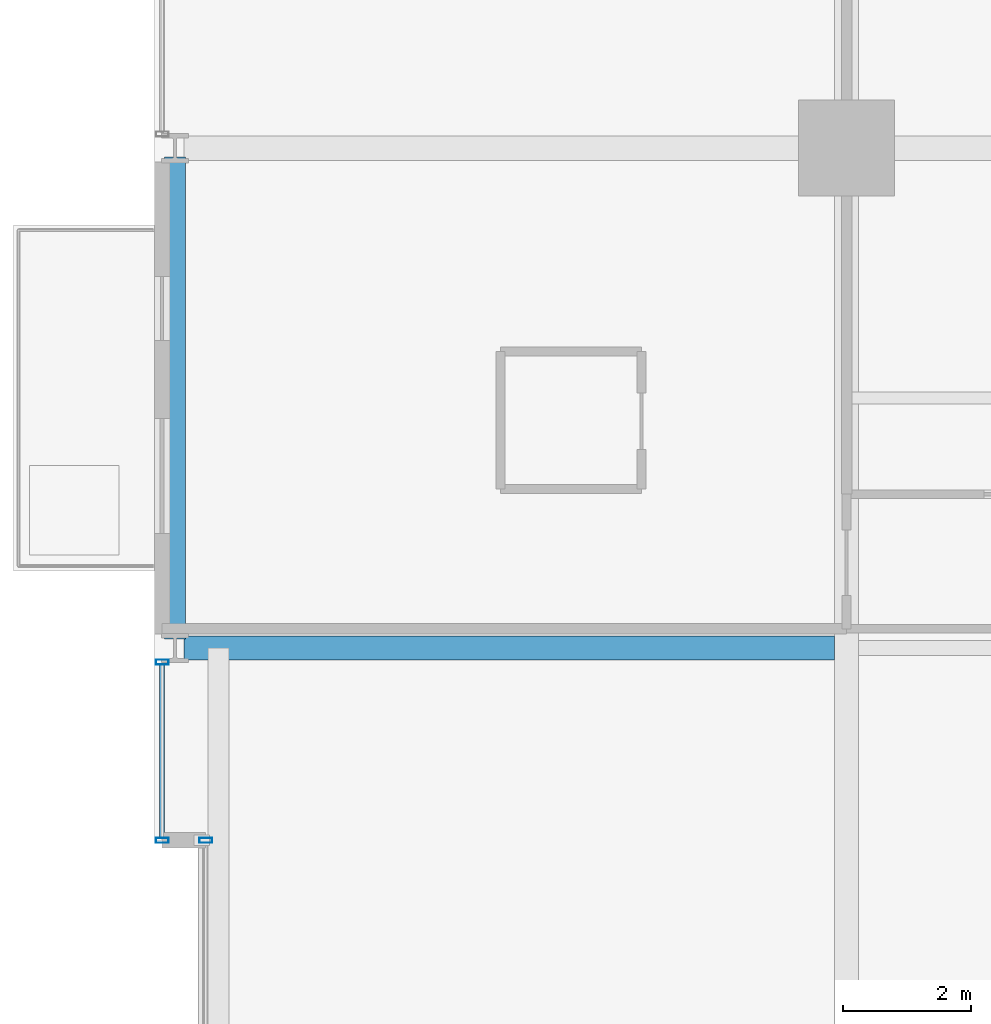
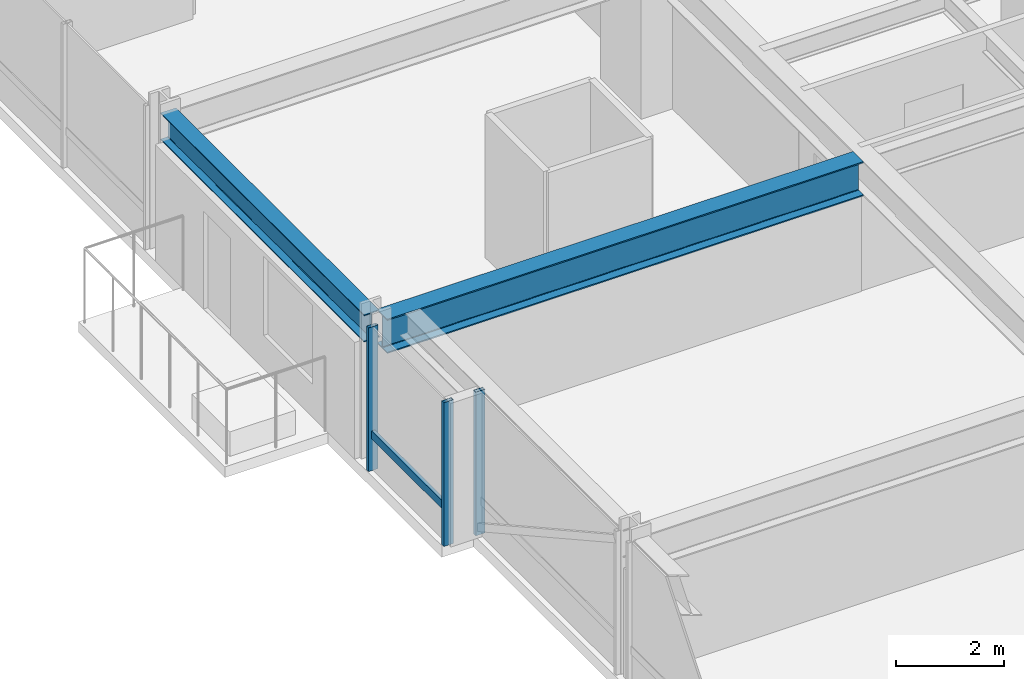
# One storey, part 16 of 34: 4 members, 2 beams, 2 elements without a shape of their own.
"""IFC4 building model written with IfcOpenShell, lengths in metres."""

from ifc_helpers import new_model, si_unit, direction, frame, origin, origin_2d, place, context, subcontext, project, spatial, hollow_rectangle, i_section, extrude, material, layer, layer_set, material_profile, profile_set, type_object, element, aggregate, save


model = new_model("IFC4")

# Units and contexts
model_context = context("Model", 3, precision=1e-05, world=origin(), true_north=direction((0.0, 1.0)))
body_context = subcontext(model_context, "Body", "Model", "MODEL_VIEW")
ifc_project = project(units=[si_unit("LENGTHUNIT", "METRE"), si_unit("AREAUNIT", "SQUARE_METRE"), si_unit("VOLUMEUNIT", "CUBIC_METRE"), si_unit("PLANEANGLEUNIT", "RADIAN"), si_unit("MASSUNIT", "GRAM", prefix="KILO")], contexts=[model_context])

# Site, building, storey
site_placement = place(None, origin())
site = spatial("IfcSite", under=ifc_project, at=site_placement, CompositionType="ELEMENT")
building_placement = place(site_placement, origin())
building = spatial("IfcBuilding", under=site, at=building_placement, Name="Drelvath Grand Hotel", CompositionType="ELEMENT")
storey_placement = place(building_placement, frame((0.0, 0.0, 109.300048828125)))
storey = spatial("IfcBuildingStorey", under=building, at=storey_placement, Name="L27", CompositionType="ELEMENT", Elevation=109.300048828125)

# Curtain wall, member
ifc_material_1 = material(Name="Champagne Bronze Anodised Aluminium Frame", Category="aluminium")
ifc_layer = layer(ifc_material_1, 0.199951171875)
ifc_layer_set = layer_set([ifc_layer], Name="Champagne Bronze Anodised Aluminium Frame")
curtain_wall_type = type_object("IfcCurtainWallType", Name="Stick Curtain Wall CW-03 Champagne Bronze Mid-Rise", PredefinedType="NOTDEFINED", material=ifc_layer_set)
curtain_wall_1_placement = place(storey_placement, origin())
curtain_wall_1 = element("IfcCurtainWall", 1, at=curtain_wall_1_placement, inside=storey, type_object=curtain_wall_type, Name="L27 CW-03 Curtain Wall CW03-L27-WN1", PredefinedType="NOTDEFINED")
ifc_material_profile_1 = material_profile(ifc_material_1, hollow_rectangle(XDim=0.074951171875, YDim=0.179931640625, WallThickness=0.0048828125, at=origin_2d()), Name="HSS180X75X5")
ifc_profile_set_1 = profile_set([ifc_material_profile_1], Name="Champagne Bronze Anodised Aluminium Frame")
member_type_1 = type_object("IfcMemberType", Name="Curtain Wall Horizontal Transom CW-03 HSS180X75X5", PredefinedType="USERDEFINED", material=ifc_profile_set_1)
member_1_placement = place(storey_placement, frame((-26.8798828125, 32.43994140625, 0.81005859375), z_axis=(0.0, 1.0, 0.0), x_axis=(-1.0, 0.0, 0.0)))
member_1 = element("IfcMember", 2, at=member_1_placement, type_object=member_type_1, Name="CW03-L27-WN1 Sill Transom", ObjectType="TRANSOM", PredefinedType="USERDEFINED", context=body_context, shape_type="SweptSolid", body=[
    extrude(hollow_rectangle(XDim=0.074951171875, YDim=0.179931640625, WallThickness=0.0048828125, at=origin_2d()), origin(), (0.0, 0.0, 1.0), 2.700439453125),
])

curtain_wall_2_placement = place(storey_placement, origin())
curtain_wall_2 = element("IfcCurtainWall", 3, at=curtain_wall_2_placement, inside=storey, type_object=curtain_wall_type, Name="L27 CW-03 Curtain Wall CW03-L27-WM2", PredefinedType="NOTDEFINED")
ifc_material_profile_2 = material_profile(ifc_material_1, hollow_rectangle(XDim=0.080078125, YDim=0.199951171875, WallThickness=0.0048828125, at=origin_2d()), Name="HSS200X80X5")
ifc_profile_set_2 = profile_set([ifc_material_profile_2], Name="Champagne Bronze Anodised Aluminium Frame")
member_type_2 = type_object("IfcMemberType", Name="Curtain Wall Vertical Mullion CW-03 HSS200X80X5", PredefinedType="MULLION", material=ifc_profile_set_2)
member_2_placement = place(storey_placement, frame((-26.199951171875, 32.39990234375, 0.0), z_axis=(0.0, 0.0, 1.0), x_axis=(0.0, 1.0, 0.0)))
member_2 = element("IfcMember", 4, at=member_2_placement, type_object=member_type_2, Name="CW03-L27-WM2 Mullion 2", PredefinedType="MULLION", context=body_context, shape_type="SweptSolid", body=[
    extrude(hollow_rectangle(XDim=0.080078125, YDim=0.199951171875, WallThickness=0.0048828125, at=origin_2d()), origin(), (0.0, 0.0, 1.0), 3.239990234375),
])
aggregate(curtain_wall_2, [member_2])

# Member
member_3_placement = place(storey_placement, frame((-26.8798828125, 32.39990234375, 0.0), z_axis=(0.0, 0.0, 1.0), x_axis=(0.0, 1.0, 0.0)))
member_3 = element("IfcMember", 5, at=member_3_placement, type_object=member_type_2, Name="CW03-L27-WN1 Mullion 1", PredefinedType="MULLION", context=body_context, shape_type="SweptSolid", body=[
    extrude(hollow_rectangle(XDim=0.080078125, YDim=0.199951171875, WallThickness=0.0048828125, at=origin_2d()), origin(), (0.0, 0.0, 1.0), 3.239990234375),
])

member_4_placement = place(storey_placement, frame((-26.8798828125, 35.180419921875, 0.0), z_axis=(0.0, 0.0, 1.0), x_axis=(0.0, 1.0, 0.0)))
member_4 = element("IfcMember", 6, at=member_4_placement, type_object=member_type_2, Name="CW03-L27-WN1 Mullion 2", PredefinedType="MULLION", context=body_context, shape_type="SweptSolid", body=[
    extrude(hollow_rectangle(XDim=0.080078125, YDim=0.199951171875, WallThickness=0.0048828125, at=origin_2d()), origin(), (0.0, 0.0, 1.0), 3.239990234375),
])

aggregate(curtain_wall_1, [member_3, member_4, member_1])

# Beams
ifc_material_2 = material(Name="Steel ASTM A992 Gr 50", Category="steel")
ifc_material_profile_3 = material_profile(ifc_material_2, i_section(OverallWidth=0.323974609375, OverallDepth=0.611083984375, WebThickness=0.0126953125, FlangeThickness=0.01904296875, FilletRadius=0.02197265625, at=origin_2d()), Name="W24X104")
ifc_profile_set_3 = profile_set([ifc_material_profile_3], Name="Steel ASTM A992 Gr 50")
beam_type_1 = type_object("IfcBeamType", Name="Perimeter Spandrel Beam W24X104", PredefinedType="SPANDREL", material=ifc_profile_set_3)
beam_1_placement = place(storey_placement, frame((-26.679931640625, 35.5400390625, 2.9345703125), z_axis=(0.0, 1.0, 0.0), x_axis=(-1.0, 0.0, 0.0)))
element("IfcBeam", 7, at=beam_1_placement, inside=storey, type_object=beam_type_1, Name="L27 Spandrel West N", PredefinedType="SPANDREL", context=body_context, shape_type="SweptSolid", body=[
    extrude(i_section(OverallWidth=0.323974609375, OverallDepth=0.611083984375, WebThickness=0.0126953125, FlangeThickness=0.01904296875, FilletRadius=0.02197265625, at=origin_2d()), origin(), (0.0, 0.0, 1.0), 7.52001953125),
])
ifc_material_profile_4 = material_profile(ifc_material_2, i_section(OverallWidth=0.380615234375, OverallDepth=0.773193359375, WebThickness=0.0166015625, FlangeThickness=0.027099609375, FilletRadius=0.02490234375, at=origin_2d()), Name="W30X173")
ifc_profile_set_4 = profile_set([ifc_material_profile_4], Name="Steel ASTM A992 Gr 50")
beam_type_2 = type_object("IfcBeamType", Name="Primary Floor Girder W30X173", PredefinedType="BEAM", material=ifc_profile_set_4)
beam_2_placement = place(storey_placement, frame((-26.5400390625, 35.39990234375, 2.853271484375), z_axis=(1.0, 0.0, 0.0), x_axis=(0.0, 1.0, 0.0)))
element("IfcBeam", 8, at=beam_2_placement, inside=storey, type_object=beam_type_2, Name="L27 West Wing Girder F", PredefinedType="BEAM", context=body_context, shape_type="SweptSolid", body=[
    extrude(i_section(OverallWidth=0.380615234375, OverallDepth=0.773193359375, WebThickness=0.0166015625, FlangeThickness=0.027099609375, FilletRadius=0.02490234375, at=origin_2d()), origin(), (0.0, 0.0, 1.0), 10.149658203125),
])

save(model, "model.ifc")
